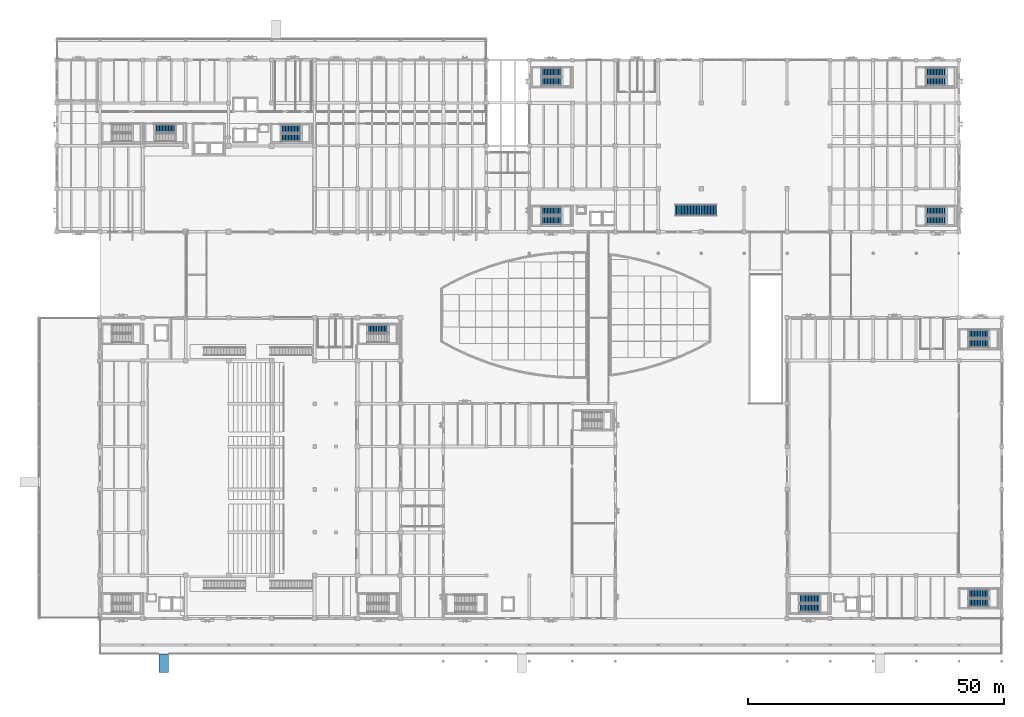
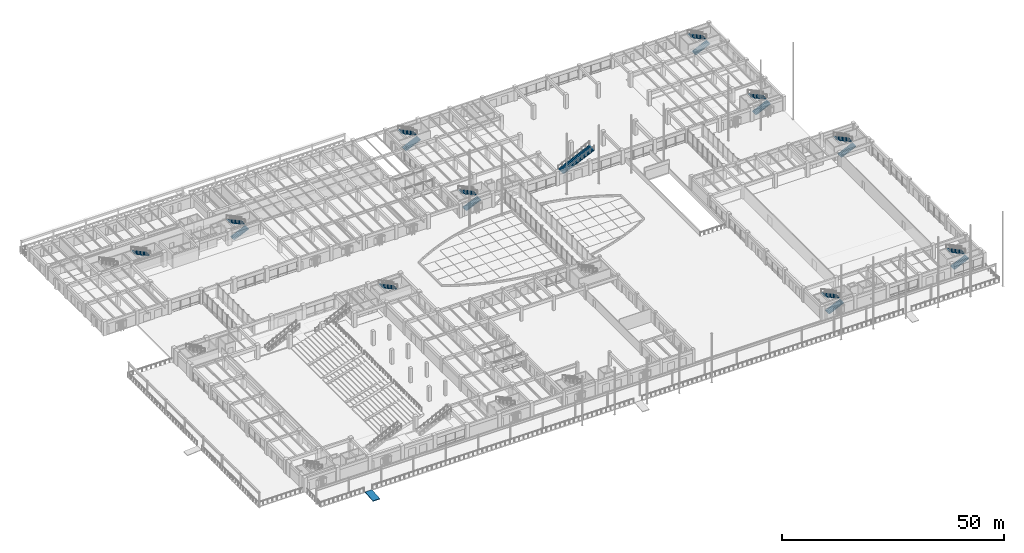
# One storey, part 101 of 135: 19 stair flights, 1 ramp flight, 12 elements without a shape of their own.
"""IFC4 building model written with IfcOpenShell, lengths in metres."""

from ifc_helpers import new_model, si_unit, direction, frame, origin, place, context, subcontext, project, spatial, polyline, outline, extrude, material, layer, layer_set, type_object, element, aggregate, save


model = new_model("IFC4")

# Units and contexts
model_context = context("Model", 3, precision=1e-05, world=origin(), true_north=direction((0.0, 1.0)))
body_context = subcontext(model_context, "Body", "Model", "MODEL_VIEW")
ifc_project = project(units=[si_unit("LENGTHUNIT", "METRE"), si_unit("AREAUNIT", "SQUARE_METRE"), si_unit("VOLUMEUNIT", "CUBIC_METRE"), si_unit("PLANEANGLEUNIT", "RADIAN"), si_unit("MASSUNIT", "GRAM", prefix="KILO")], contexts=[model_context])

# Site, building, storey
site_placement = place(None, origin())
site = spatial("IfcSite", under=ifc_project, at=site_placement, CompositionType="ELEMENT")
building_placement = place(site_placement, origin())
building = spatial("IfcBuilding", under=site, at=building_placement, Name="Cumbredor Promenade Congress Hotel", CompositionType="ELEMENT")
storey_placement = place(building_placement, origin())
storey = spatial("IfcBuildingStorey", under=building, at=storey_placement, Name="L00", CompositionType="ELEMENT", Elevation=0.0)

# Stair, stair flight
ifc_material = material(Name="Concrete C40/50", Category="concrete")
stair_type_1 = type_object("IfcStairType", Name="Ceremonial Atrium Straight Stair VM-T2 2200mm", PredefinedType="STRAIGHT_RUN_STAIR", material=ifc_material)
stair_1_placement = place(storey_placement, origin())
stair_1 = element("IfcStair", 1, at=stair_1_placement, inside=storey, type_object=stair_type_1, Name="Forum Atrium Ceremonial Stair Lower", PredefinedType="STRAIGHT_RUN_STAIR")
stair_flight_type_1 = type_object("IfcStairFlightType", Name="Ceremonial Stair Flight VFL-T2 2200mm", PredefinedType="STRAIGHT", material=ifc_material)
stair_flight_1_placement = place(storey_placement, frame((120.904052734375, 88.199951171875, -0.0029296875), z_axis=(0.0, 0.0, 1.0), x_axis=(1.0, 0.0, 0.0)))
stair_flight_1 = element("IfcStairFlight", 2, at=stair_flight_1_placement, type_object=stair_flight_type_1, Name="Forum Atrium Ceremonial Stair Lower Flight", NumberOfRisers=28, NumberOfTreads=27, PredefinedType="STRAIGHT", RiserHeight=0.14, TreadLength=0.3, context=body_context, shape_type="SweptSolid", body=[
    extrude(outline(polyline([(0.0, 0.0), (0.0, 0.139892578125), (0.300048828125, 0.139892578125), (0.300048828125, 0.280029296875), (0.60009765625, 0.280029296875), (0.60009765625, 0.419921875), (0.89990234375, 0.419921875), (0.89990234375, 0.56005859375), (1.199951171875, 0.56005859375), (1.199951171875, 0.699951171875), (1.5, 0.699951171875), (1.5, 0.840087890625), (1.800048828125, 0.840087890625), (1.800048828125, 0.97998046875), (2.10009765625, 0.97998046875), (2.10009765625, 1.1201171875), (2.39990234375, 1.1201171875), (2.39990234375, 1.260009765625), (2.699951171875, 1.260009765625), (2.699951171875, 1.39990234375), (3.0, 1.39990234375), (3.0, 1.5400390625), (3.300048828125, 1.5400390625), (3.300048828125, 1.679931640625), (3.60009765625, 1.679931640625), (3.60009765625, 1.820068359375), (3.89990234375, 1.820068359375), (3.89990234375, 1.9599609375), (4.199951171875, 1.9599609375), (4.199951171875, 2.10009765625), (4.5, 2.10009765625), (4.5, 2.239990234375), (4.800048828125, 2.239990234375), (4.800048828125, 2.3798828125), (5.10009765625, 2.3798828125), (5.10009765625, 2.52001953125), (5.39990234375, 2.52001953125), (5.39990234375, 2.659912109375), (5.699951171875, 2.659912109375), (5.699951171875, 2.800048828125), (6.0, 2.800048828125), (6.0, 2.93994140625), (6.300048828125, 2.93994140625), (6.300048828125, 3.080078125), (6.60009765625, 3.080078125), (6.60009765625, 3.219970703125), (6.89990234375, 3.219970703125), (6.89990234375, 3.360107421875), (7.199951171875, 3.360107421875), (7.199951171875, 3.5), (7.5, 3.5), (7.5, 3.639892578125), (7.800048828125, 3.639892578125), (7.800048828125, 3.780029296875), (8.10009765625, 3.780029296875), (8.10009765625, 3.919921875), (8.10009765625, 3.559326171875), (0.472900390625, 0.0), (0.0, 0.0)])), frame((0.0, 1.10009765625, 0.0), z_axis=(0.0, -1.0, 0.0), x_axis=(1.0, 0.0, 0.0)), (0.0, 0.0, 1.0), 2.199951171875),
])
aggregate(stair_1, [stair_flight_1])

# Stair, stair flights
stair_type_2 = type_object("IfcStairType", Name="Protected Dog-Leg Exit Stair ST-T1 1550mm", PredefinedType="HALF_TURN_STAIR", material=ifc_material)
stair_2_placement = place(storey_placement, origin())
stair_2 = element("IfcStair", 3, at=stair_2_placement, inside=storey, type_object=stair_type_2, Name="L00 Protected Exit Stair ST-03", PredefinedType="HALF_TURN_STAIR")
stair_flight_type_2 = type_object("IfcStairFlightType", Name="Concrete Stair Flight SFL-T1 1550mm", PredefinedType="STRAIGHT", material=ifc_material)
stair_flight_2_placement = place(storey_placement, frame((43.800048828125, 102.39501953125, 0.0), z_axis=(0.0, 0.0, 1.0), x_axis=(1.0, 0.0, 0.0)))
stair_flight_2 = element("IfcStairFlight", 4, at=stair_flight_2_placement, type_object=stair_flight_type_2, Name="ST-03 flight 1", NumberOfRisers=14, NumberOfTreads=13, PredefinedType="STRAIGHT", RiserHeight=0.14, TreadLength=0.3, context=body_context, shape_type="SweptSolid", body=[
    extrude(outline(polyline([(0.0, 0.0), (0.0, 0.139892578125), (0.300048828125, 0.139892578125), (0.300048828125, 0.280029296875), (0.60009765625, 0.280029296875), (0.60009765625, 0.419921875), (0.89990234375, 0.419921875), (0.89990234375, 0.56005859375), (1.199951171875, 0.56005859375), (1.199951171875, 0.699951171875), (1.5, 0.699951171875), (1.5, 0.840087890625), (1.800048828125, 0.840087890625), (1.800048828125, 0.97998046875), (2.10009765625, 0.97998046875), (2.10009765625, 1.1201171875), (2.39990234375, 1.1201171875), (2.39990234375, 1.260009765625), (2.699951171875, 1.260009765625), (2.699951171875, 1.39990234375), (3.0, 1.39990234375), (3.0, 1.5400390625), (3.300048828125, 1.5400390625), (3.300048828125, 1.679931640625), (3.60009765625, 1.679931640625), (3.60009765625, 1.820068359375), (3.89990234375, 1.820068359375), (3.89990234375, 1.9599609375), (3.89990234375, 1.621337890625), (0.425537109375, 0.0), (0.0, 0.0)])), frame((0.0, 0.77490234375, 0.0), z_axis=(0.0, -1.0, 0.0), x_axis=(1.0, 0.0, 0.0)), (0.0, 0.0, 1.0), 1.550048828125),
])
stair_flight_3_placement = place(storey_placement, frame((47.699951171875, 104.094970703125, 1.9599609375), z_axis=(0.0, 0.0, 1.0), x_axis=(-1.0, 0.0, 0.0)))
stair_flight_3 = element("IfcStairFlight", 5, at=stair_flight_3_placement, type_object=stair_flight_type_2, Name="ST-03 flight 2", NumberOfRisers=14, NumberOfTreads=13, PredefinedType="STRAIGHT", RiserHeight=0.14, TreadLength=0.3, context=body_context, shape_type="SweptSolid", body=[
    extrude(outline(polyline([(0.0, 0.0), (0.0, 0.139892578125), (0.300048828125, 0.139892578125), (0.300048828125, 0.280029296875), (0.60009765625, 0.280029296875), (0.60009765625, 0.419921875), (0.89990234375, 0.419921875), (0.89990234375, 0.56005859375), (1.199951171875, 0.56005859375), (1.199951171875, 0.699951171875), (1.5, 0.699951171875), (1.5, 0.840087890625), (1.800048828125, 0.840087890625), (1.800048828125, 0.97998046875), (2.10009765625, 0.97998046875), (2.10009765625, 1.1201171875), (2.39990234375, 1.1201171875), (2.39990234375, 1.260009765625), (2.699951171875, 1.260009765625), (2.699951171875, 1.39990234375), (3.0, 1.39990234375), (3.0, 1.5400390625), (3.300048828125, 1.5400390625), (3.300048828125, 1.679931640625), (3.60009765625, 1.679931640625), (3.60009765625, 1.820068359375), (3.89990234375, 1.820068359375), (3.89990234375, 1.9599609375), (3.89990234375, 1.621337890625), (0.425537109375, 0.0), (0.0, 0.0)])), frame((0.0, 0.77490234375, 0.0), z_axis=(0.0, -1.0, 0.0), x_axis=(1.0, 0.0, 0.0)), (0.0, 0.0, 1.0), 1.550048828125),
])
aggregate(stair_2, [stair_flight_2, stair_flight_3])

# Stair, stair flight
stair_type_3 = type_object("IfcStairType", Name="Protected Dog-Leg Exit Stair ST-T2 1600mm", PredefinedType="HALF_TURN_STAIR", material=ifc_material)
stair_3_placement = place(storey_placement, origin())
stair_3 = element("IfcStair", 6, at=stair_3_placement, inside=storey, type_object=stair_type_3, Name="L00 Protected Exit Stair ST-02", PredefinedType="HALF_TURN_STAIR")
stair_flight_type_3 = type_object("IfcStairFlightType", Name="Concrete Stair Flight SFL-T2 1600mm", PredefinedType="STRAIGHT", material=ifc_material)
stair_flight_4_placement = place(storey_placement, frame((23.050048828125, 104.169921875, 1.9599609375), z_axis=(0.0, 0.0, 1.0), x_axis=(-1.0, 0.0, 0.0)))
stair_flight_4 = element("IfcStairFlight", 7, at=stair_flight_4_placement, type_object=stair_flight_type_3, Name="ST-02 flight 2", NumberOfRisers=14, NumberOfTreads=13, PredefinedType="STRAIGHT", RiserHeight=0.14, TreadLength=0.3, context=body_context, shape_type="SweptSolid", body=[
    extrude(outline(polyline([(0.0, 0.0), (0.0, 0.139892578125), (0.300048828125, 0.139892578125), (0.300048828125, 0.280029296875), (0.60009765625, 0.280029296875), (0.60009765625, 0.419921875), (0.89990234375, 0.419921875), (0.89990234375, 0.56005859375), (1.199951171875, 0.56005859375), (1.199951171875, 0.699951171875), (1.5, 0.699951171875), (1.5, 0.840087890625), (1.800048828125, 0.840087890625), (1.800048828125, 0.97998046875), (2.10009765625, 0.97998046875), (2.10009765625, 1.1201171875), (2.39990234375, 1.1201171875), (2.39990234375, 1.260009765625), (2.699951171875, 1.260009765625), (2.699951171875, 1.39990234375), (3.0, 1.39990234375), (3.0, 1.5400390625), (3.300048828125, 1.5400390625), (3.300048828125, 1.679931640625), (3.60009765625, 1.679931640625), (3.60009765625, 1.820068359375), (3.89990234375, 1.820068359375), (3.89990234375, 1.9599609375), (3.89990234375, 1.621337890625), (0.425537109375, 0.0), (0.0, 0.0)])), frame((0.0, 0.800048828125, 0.0), z_axis=(0.0, -1.0, 0.0), x_axis=(1.0, 0.0, 0.0)), (0.0, 0.0, 1.0), 1.60009765625),
])
aggregate(stair_3, [stair_flight_4])

stair_type_4 = type_object("IfcStairType", Name="Protected Dog-Leg Exit Stair ST-T3 1650mm", PredefinedType="HALF_TURN_STAIR", material=ifc_material)
stair_4_placement = place(storey_placement, origin())
stair_4 = element("IfcStair", 8, at=stair_4_placement, inside=storey, type_object=stair_type_4, Name="L00 Protected Exit Stair ST-07", PredefinedType="HALF_TURN_STAIR")
stair_flight_type_4 = type_object("IfcStairFlightType", Name="Concrete Stair Flight SFL-T3 1650mm", PredefinedType="STRAIGHT", material=ifc_material)
stair_flight_5_placement = place(storey_placement, frame((64.64990234375, 64.97509765625, 1.9599609375), z_axis=(0.0, 0.0, 1.0), x_axis=(-1.0, 0.0, 0.0)))
stair_flight_5 = element("IfcStairFlight", 9, at=stair_flight_5_placement, type_object=stair_flight_type_4, Name="ST-07 flight 2", NumberOfRisers=14, NumberOfTreads=13, PredefinedType="STRAIGHT", RiserHeight=0.14, TreadLength=0.3, context=body_context, shape_type="SweptSolid", body=[
    extrude(outline(polyline([(0.0, 0.0), (0.0, 0.139892578125), (0.300048828125, 0.139892578125), (0.300048828125, 0.280029296875), (0.60009765625, 0.280029296875), (0.60009765625, 0.419921875), (0.89990234375, 0.419921875), (0.89990234375, 0.56005859375), (1.199951171875, 0.56005859375), (1.199951171875, 0.699951171875), (1.5, 0.699951171875), (1.5, 0.840087890625), (1.800048828125, 0.840087890625), (1.800048828125, 0.97998046875), (2.10009765625, 0.97998046875), (2.10009765625, 1.1201171875), (2.39990234375, 1.1201171875), (2.39990234375, 1.260009765625), (2.699951171875, 1.260009765625), (2.699951171875, 1.39990234375), (3.0, 1.39990234375), (3.0, 1.5400390625), (3.300048828125, 1.5400390625), (3.300048828125, 1.679931640625), (3.60009765625, 1.679931640625), (3.60009765625, 1.820068359375), (3.89990234375, 1.820068359375), (3.89990234375, 1.9599609375), (3.89990234375, 1.621337890625), (0.425537109375, 0.0), (0.0, 0.0)])), frame((0.0, 0.824951171875, 0.0), z_axis=(0.0, -1.0, 0.0), x_axis=(1.0, 0.0, 0.0)), (0.0, 0.0, 1.0), 1.64990234375),
])
aggregate(stair_4, [stair_flight_5])

# Stair, stair flights
stair_5_placement = place(storey_placement, origin())
stair_5 = element("IfcStair", 10, at=stair_5_placement, inside=storey, type_object=stair_type_4, Name="L00 Protected Exit Stair ST-08", PredefinedType="HALF_TURN_STAIR")
stair_flight_6_placement = place(storey_placement, frame((145.14990234375, 10.425048828125, 0.0), z_axis=(0.0, 0.0, 1.0), x_axis=(1.0, 0.0, 0.0)))
stair_flight_6 = element("IfcStairFlight", 11, at=stair_flight_6_placement, type_object=stair_flight_type_4, Name="ST-08 flight 1", NumberOfRisers=14, NumberOfTreads=13, PredefinedType="STRAIGHT", RiserHeight=0.14, TreadLength=0.3, context=body_context, shape_type="SweptSolid", body=[
    extrude(outline(polyline([(0.0, 0.0), (0.0, 0.139892578125), (0.300048828125, 0.139892578125), (0.300048828125, 0.280029296875), (0.60009765625, 0.280029296875), (0.60009765625, 0.419921875), (0.89990234375, 0.419921875), (0.89990234375, 0.56005859375), (1.199951171875, 0.56005859375), (1.199951171875, 0.699951171875), (1.5, 0.699951171875), (1.5, 0.840087890625), (1.800048828125, 0.840087890625), (1.800048828125, 0.97998046875), (2.10009765625, 0.97998046875), (2.10009765625, 1.1201171875), (2.39990234375, 1.1201171875), (2.39990234375, 1.260009765625), (2.699951171875, 1.260009765625), (2.699951171875, 1.39990234375), (3.0, 1.39990234375), (3.0, 1.5400390625), (3.300048828125, 1.5400390625), (3.300048828125, 1.679931640625), (3.60009765625, 1.679931640625), (3.60009765625, 1.820068359375), (3.89990234375, 1.820068359375), (3.89990234375, 1.9599609375), (3.89990234375, 1.621337890625), (0.425537109375, 0.0), (0.0, 0.0)])), frame((0.0, 0.824951171875, 0.0), z_axis=(0.0, -1.0, 0.0), x_axis=(1.0, 0.0, 0.0)), (0.0, 0.0, 1.0), 1.64990234375),
])
stair_flight_7_placement = place(storey_placement, frame((149.050048828125, 12.22509765625, 1.9599609375), z_axis=(0.0, 0.0, 1.0), x_axis=(-1.0, 0.0, 0.0)))
stair_flight_7 = element("IfcStairFlight", 12, at=stair_flight_7_placement, type_object=stair_flight_type_4, Name="ST-08 flight 2", NumberOfRisers=14, NumberOfTreads=13, PredefinedType="STRAIGHT", RiserHeight=0.14, TreadLength=0.3, context=body_context, shape_type="SweptSolid", body=[
    extrude(outline(polyline([(0.0, 0.0), (0.0, 0.139892578125), (0.300048828125, 0.139892578125), (0.300048828125, 0.280029296875), (0.60009765625, 0.280029296875), (0.60009765625, 0.419921875), (0.89990234375, 0.419921875), (0.89990234375, 0.56005859375), (1.199951171875, 0.56005859375), (1.199951171875, 0.699951171875), (1.5, 0.699951171875), (1.5, 0.840087890625), (1.800048828125, 0.840087890625), (1.800048828125, 0.97998046875), (2.10009765625, 0.97998046875), (2.10009765625, 1.1201171875), (2.39990234375, 1.1201171875), (2.39990234375, 1.260009765625), (2.699951171875, 1.260009765625), (2.699951171875, 1.39990234375), (3.0, 1.39990234375), (3.0, 1.5400390625), (3.300048828125, 1.5400390625), (3.300048828125, 1.679931640625), (3.60009765625, 1.679931640625), (3.60009765625, 1.820068359375), (3.89990234375, 1.820068359375), (3.89990234375, 1.9599609375), (3.89990234375, 1.621337890625), (0.425537109375, 0.0), (0.0, 0.0)])), frame((0.0, 0.824951171875, 0.0), z_axis=(0.0, -1.0, 0.0), x_axis=(1.0, 0.0, 0.0)), (0.0, 0.0, 1.0), 1.64990234375),
])
aggregate(stair_5, [stair_flight_6, stair_flight_7])

stair_6_placement = place(storey_placement, origin())
stair_6 = element("IfcStair", 13, at=stair_6_placement, inside=storey, type_object=stair_type_4, Name="L00 Protected Exit Stair ST-09", PredefinedType="HALF_TURN_STAIR")
stair_flight_8_placement = place(storey_placement, frame((178.25, 11.425048828125, 0.0), z_axis=(0.0, 0.0, 1.0), x_axis=(1.0, 0.0, 0.0)))
stair_flight_8 = element("IfcStairFlight", 14, at=stair_flight_8_placement, type_object=stair_flight_type_4, Name="ST-09 flight 1", NumberOfRisers=14, NumberOfTreads=13, PredefinedType="STRAIGHT", RiserHeight=0.14, TreadLength=0.3, context=body_context, shape_type="SweptSolid", body=[
    extrude(outline(polyline([(0.0, 0.0), (0.0, 0.139892578125), (0.300048828125, 0.139892578125), (0.300048828125, 0.280029296875), (0.60009765625, 0.280029296875), (0.60009765625, 0.419921875), (0.89990234375, 0.419921875), (0.89990234375, 0.56005859375), (1.199951171875, 0.56005859375), (1.199951171875, 0.699951171875), (1.5, 0.699951171875), (1.5, 0.840087890625), (1.800048828125, 0.840087890625), (1.800048828125, 0.97998046875), (2.10009765625, 0.97998046875), (2.10009765625, 1.1201171875), (2.39990234375, 1.1201171875), (2.39990234375, 1.260009765625), (2.699951171875, 1.260009765625), (2.699951171875, 1.39990234375), (3.0, 1.39990234375), (3.0, 1.5400390625), (3.300048828125, 1.5400390625), (3.300048828125, 1.679931640625), (3.60009765625, 1.679931640625), (3.60009765625, 1.820068359375), (3.89990234375, 1.820068359375), (3.89990234375, 1.9599609375), (3.89990234375, 1.621337890625), (0.425537109375, 0.0), (0.0, 0.0)])), frame((0.0, 0.824951171875, 0.0), z_axis=(0.0, -1.0, 0.0), x_axis=(1.0, 0.0, 0.0)), (0.0, 0.0, 1.0), 1.64990234375),
])
stair_flight_9_placement = place(storey_placement, frame((182.14990234375, 13.22509765625, 1.9599609375), z_axis=(0.0, 0.0, 1.0), x_axis=(-1.0, 0.0, 0.0)))
stair_flight_9 = element("IfcStairFlight", 15, at=stair_flight_9_placement, type_object=stair_flight_type_4, Name="ST-09 flight 2", NumberOfRisers=14, NumberOfTreads=13, PredefinedType="STRAIGHT", RiserHeight=0.14, TreadLength=0.3, context=body_context, shape_type="SweptSolid", body=[
    extrude(outline(polyline([(0.0, 0.0), (0.0, 0.139892578125), (0.300048828125, 0.139892578125), (0.300048828125, 0.280029296875), (0.60009765625, 0.280029296875), (0.60009765625, 0.419921875), (0.89990234375, 0.419921875), (0.89990234375, 0.56005859375), (1.199951171875, 0.56005859375), (1.199951171875, 0.699951171875), (1.5, 0.699951171875), (1.5, 0.840087890625), (1.800048828125, 0.840087890625), (1.800048828125, 0.97998046875), (2.10009765625, 0.97998046875), (2.10009765625, 1.1201171875), (2.39990234375, 1.1201171875), (2.39990234375, 1.260009765625), (2.699951171875, 1.260009765625), (2.699951171875, 1.39990234375), (3.0, 1.39990234375), (3.0, 1.5400390625), (3.300048828125, 1.5400390625), (3.300048828125, 1.679931640625), (3.60009765625, 1.679931640625), (3.60009765625, 1.820068359375), (3.89990234375, 1.820068359375), (3.89990234375, 1.9599609375), (3.89990234375, 1.621337890625), (0.425537109375, 0.0), (0.0, 0.0)])), frame((0.0, 0.824951171875, 0.0), z_axis=(0.0, -1.0, 0.0), x_axis=(1.0, 0.0, 0.0)), (0.0, 0.0, 1.0), 1.64990234375),
])
aggregate(stair_6, [stair_flight_8, stair_flight_9])

stair_7_placement = place(storey_placement, origin())
stair_7 = element("IfcStair", 16, at=stair_7_placement, inside=storey, type_object=stair_type_4, Name="L00 Protected Exit Stair ST-10", PredefinedType="HALF_TURN_STAIR")
stair_flight_10_placement = place(storey_placement, frame((178.25, 62.175048828125, 0.0), z_axis=(0.0, 0.0, 1.0), x_axis=(1.0, 0.0, 0.0)))
stair_flight_10 = element("IfcStairFlight", 17, at=stair_flight_10_placement, type_object=stair_flight_type_4, Name="ST-10 flight 1", NumberOfRisers=14, NumberOfTreads=13, PredefinedType="STRAIGHT", RiserHeight=0.14, TreadLength=0.3, context=body_context, shape_type="SweptSolid", body=[
    extrude(outline(polyline([(0.0, 0.0), (0.0, 0.139892578125), (0.300048828125, 0.139892578125), (0.300048828125, 0.280029296875), (0.60009765625, 0.280029296875), (0.60009765625, 0.419921875), (0.89990234375, 0.419921875), (0.89990234375, 0.56005859375), (1.199951171875, 0.56005859375), (1.199951171875, 0.699951171875), (1.5, 0.699951171875), (1.5, 0.840087890625), (1.800048828125, 0.840087890625), (1.800048828125, 0.97998046875), (2.10009765625, 0.97998046875), (2.10009765625, 1.1201171875), (2.39990234375, 1.1201171875), (2.39990234375, 1.260009765625), (2.699951171875, 1.260009765625), (2.699951171875, 1.39990234375), (3.0, 1.39990234375), (3.0, 1.5400390625), (3.300048828125, 1.5400390625), (3.300048828125, 1.679931640625), (3.60009765625, 1.679931640625), (3.60009765625, 1.820068359375), (3.89990234375, 1.820068359375), (3.89990234375, 1.9599609375), (3.89990234375, 1.621337890625), (0.425537109375, 0.0), (0.0, 0.0)])), frame((0.0, 0.824951171875, 0.0), z_axis=(0.0, -1.0, 0.0), x_axis=(1.0, 0.0, 0.0)), (0.0, 0.0, 1.0), 1.64990234375),
])
stair_flight_11_placement = place(storey_placement, frame((182.14990234375, 63.97509765625, 1.9599609375), z_axis=(0.0, 0.0, 1.0), x_axis=(-1.0, 0.0, 0.0)))
stair_flight_11 = element("IfcStairFlight", 18, at=stair_flight_11_placement, type_object=stair_flight_type_4, Name="ST-10 flight 2", NumberOfRisers=14, NumberOfTreads=13, PredefinedType="STRAIGHT", RiserHeight=0.14, TreadLength=0.3, context=body_context, shape_type="SweptSolid", body=[
    extrude(outline(polyline([(0.0, 0.0), (0.0, 0.139892578125), (0.300048828125, 0.139892578125), (0.300048828125, 0.280029296875), (0.60009765625, 0.280029296875), (0.60009765625, 0.419921875), (0.89990234375, 0.419921875), (0.89990234375, 0.56005859375), (1.199951171875, 0.56005859375), (1.199951171875, 0.699951171875), (1.5, 0.699951171875), (1.5, 0.840087890625), (1.800048828125, 0.840087890625), (1.800048828125, 0.97998046875), (2.10009765625, 0.97998046875), (2.10009765625, 1.1201171875), (2.39990234375, 1.1201171875), (2.39990234375, 1.260009765625), (2.699951171875, 1.260009765625), (2.699951171875, 1.39990234375), (3.0, 1.39990234375), (3.0, 1.5400390625), (3.300048828125, 1.5400390625), (3.300048828125, 1.679931640625), (3.60009765625, 1.679931640625), (3.60009765625, 1.820068359375), (3.89990234375, 1.820068359375), (3.89990234375, 1.9599609375), (3.89990234375, 1.621337890625), (0.425537109375, 0.0), (0.0, 0.0)])), frame((0.0, 0.824951171875, 0.0), z_axis=(0.0, -1.0, 0.0), x_axis=(1.0, 0.0, 0.0)), (0.0, 0.0, 1.0), 1.64990234375),
])
aggregate(stair_7, [stair_flight_10, stair_flight_11])

stair_8_placement = place(storey_placement, origin())
stair_8 = element("IfcStair", 19, at=stair_8_placement, inside=storey, type_object=stair_type_4, Name="L00 Protected Exit Stair ST-13", PredefinedType="HALF_TURN_STAIR")
stair_flight_12_placement = place(storey_placement, frame((94.75, 86.22509765625, 0.0), z_axis=(0.0, 0.0, 1.0), x_axis=(1.0, 0.0, 0.0)))
stair_flight_12 = element("IfcStairFlight", 20, at=stair_flight_12_placement, type_object=stair_flight_type_4, Name="ST-13 flight 1", NumberOfRisers=14, NumberOfTreads=13, PredefinedType="STRAIGHT", RiserHeight=0.14, TreadLength=0.3, context=body_context, shape_type="SweptSolid", body=[
    extrude(outline(polyline([(0.0, 0.0), (0.0, 0.139892578125), (0.300048828125, 0.139892578125), (0.300048828125, 0.280029296875), (0.60009765625, 0.280029296875), (0.60009765625, 0.419921875), (0.89990234375, 0.419921875), (0.89990234375, 0.56005859375), (1.199951171875, 0.56005859375), (1.199951171875, 0.699951171875), (1.5, 0.699951171875), (1.5, 0.840087890625), (1.800048828125, 0.840087890625), (1.800048828125, 0.97998046875), (2.10009765625, 0.97998046875), (2.10009765625, 1.1201171875), (2.39990234375, 1.1201171875), (2.39990234375, 1.260009765625), (2.699951171875, 1.260009765625), (2.699951171875, 1.39990234375), (3.0, 1.39990234375), (3.0, 1.5400390625), (3.300048828125, 1.5400390625), (3.300048828125, 1.679931640625), (3.60009765625, 1.679931640625), (3.60009765625, 1.820068359375), (3.89990234375, 1.820068359375), (3.89990234375, 1.9599609375), (3.89990234375, 1.621337890625), (0.425537109375, 0.0), (0.0, 0.0)])), frame((0.0, 0.824951171875, 0.0), z_axis=(0.0, -1.0, 0.0), x_axis=(1.0, 0.0, 0.0)), (0.0, 0.0, 1.0), 1.64990234375),
])
stair_flight_13_placement = place(storey_placement, frame((98.64990234375, 88.02490234375, 1.9599609375), z_axis=(0.0, 0.0, 1.0), x_axis=(-1.0, 0.0, 0.0)))
stair_flight_13 = element("IfcStairFlight", 21, at=stair_flight_13_placement, type_object=stair_flight_type_4, Name="ST-13 flight 2", NumberOfRisers=14, NumberOfTreads=13, PredefinedType="STRAIGHT", RiserHeight=0.14, TreadLength=0.3, context=body_context, shape_type="SweptSolid", body=[
    extrude(outline(polyline([(0.0, 0.0), (0.0, 0.139892578125), (0.300048828125, 0.139892578125), (0.300048828125, 0.280029296875), (0.60009765625, 0.280029296875), (0.60009765625, 0.419921875), (0.89990234375, 0.419921875), (0.89990234375, 0.56005859375), (1.199951171875, 0.56005859375), (1.199951171875, 0.699951171875), (1.5, 0.699951171875), (1.5, 0.840087890625), (1.800048828125, 0.840087890625), (1.800048828125, 0.97998046875), (2.10009765625, 0.97998046875), (2.10009765625, 1.1201171875), (2.39990234375, 1.1201171875), (2.39990234375, 1.260009765625), (2.699951171875, 1.260009765625), (2.699951171875, 1.39990234375), (3.0, 1.39990234375), (3.0, 1.5400390625), (3.300048828125, 1.5400390625), (3.300048828125, 1.679931640625), (3.60009765625, 1.679931640625), (3.60009765625, 1.820068359375), (3.89990234375, 1.820068359375), (3.89990234375, 1.9599609375), (3.89990234375, 1.621337890625), (0.425537109375, 0.0), (0.0, 0.0)])), frame((0.0, 0.824951171875, 0.0), z_axis=(0.0, -1.0, 0.0), x_axis=(1.0, 0.0, 0.0)), (0.0, 0.0, 1.0), 1.64990234375),
])
aggregate(stair_8, [stair_flight_12, stair_flight_13])

stair_9_placement = place(storey_placement, origin())
stair_9 = element("IfcStair", 22, at=stair_9_placement, inside=storey, type_object=stair_type_4, Name="L00 Protected Exit Stair ST-14", PredefinedType="HALF_TURN_STAIR")
stair_flight_14_placement = place(storey_placement, frame((169.919921875, 86.22509765625, 0.0), z_axis=(0.0, 0.0, 1.0), x_axis=(1.0, 0.0, 0.0)))
stair_flight_14 = element("IfcStairFlight", 23, at=stair_flight_14_placement, type_object=stair_flight_type_4, Name="ST-14 flight 1", NumberOfRisers=14, NumberOfTreads=13, PredefinedType="STRAIGHT", RiserHeight=0.14, TreadLength=0.3, context=body_context, shape_type="SweptSolid", body=[
    extrude(outline(polyline([(0.0, 0.0), (0.0, 0.139892578125), (0.300048828125, 0.139892578125), (0.300048828125, 0.280029296875), (0.60009765625, 0.280029296875), (0.60009765625, 0.419921875), (0.89990234375, 0.419921875), (0.89990234375, 0.56005859375), (1.199951171875, 0.56005859375), (1.199951171875, 0.699951171875), (1.5, 0.699951171875), (1.5, 0.840087890625), (1.800048828125, 0.840087890625), (1.800048828125, 0.97998046875), (2.10009765625, 0.97998046875), (2.10009765625, 1.1201171875), (2.39990234375, 1.1201171875), (2.39990234375, 1.260009765625), (2.699951171875, 1.260009765625), (2.699951171875, 1.39990234375), (3.0, 1.39990234375), (3.0, 1.5400390625), (3.300048828125, 1.5400390625), (3.300048828125, 1.679931640625), (3.60009765625, 1.679931640625), (3.60009765625, 1.820068359375), (3.89990234375, 1.820068359375), (3.89990234375, 1.9599609375), (3.89990234375, 1.621337890625), (0.425537109375, 0.0), (0.0, 0.0)])), frame((0.0, 0.824951171875, 0.0), z_axis=(0.0, -1.0, 0.0), x_axis=(1.0, 0.0, 0.0)), (0.0, 0.0, 1.0), 1.64990234375),
])
stair_flight_15_placement = place(storey_placement, frame((173.820068359375, 88.02490234375, 1.9599609375), z_axis=(0.0, 0.0, 1.0), x_axis=(-1.0, 0.0, 0.0)))
stair_flight_15 = element("IfcStairFlight", 24, at=stair_flight_15_placement, type_object=stair_flight_type_4, Name="ST-14 flight 2", NumberOfRisers=14, NumberOfTreads=13, PredefinedType="STRAIGHT", RiserHeight=0.14, TreadLength=0.3, context=body_context, shape_type="SweptSolid", body=[
    extrude(outline(polyline([(0.0, 0.0), (0.0, 0.139892578125), (0.300048828125, 0.139892578125), (0.300048828125, 0.280029296875), (0.60009765625, 0.280029296875), (0.60009765625, 0.419921875), (0.89990234375, 0.419921875), (0.89990234375, 0.56005859375), (1.199951171875, 0.56005859375), (1.199951171875, 0.699951171875), (1.5, 0.699951171875), (1.5, 0.840087890625), (1.800048828125, 0.840087890625), (1.800048828125, 0.97998046875), (2.10009765625, 0.97998046875), (2.10009765625, 1.1201171875), (2.39990234375, 1.1201171875), (2.39990234375, 1.260009765625), (2.699951171875, 1.260009765625), (2.699951171875, 1.39990234375), (3.0, 1.39990234375), (3.0, 1.5400390625), (3.300048828125, 1.5400390625), (3.300048828125, 1.679931640625), (3.60009765625, 1.679931640625), (3.60009765625, 1.820068359375), (3.89990234375, 1.820068359375), (3.89990234375, 1.9599609375), (3.89990234375, 1.621337890625), (0.425537109375, 0.0), (0.0, 0.0)])), frame((0.0, 0.824951171875, 0.0), z_axis=(0.0, -1.0, 0.0), x_axis=(1.0, 0.0, 0.0)), (0.0, 0.0, 1.0), 1.64990234375),
])
aggregate(stair_9, [stair_flight_14, stair_flight_15])

stair_10_placement = place(storey_placement, origin())
stair_10 = element("IfcStair", 25, at=stair_10_placement, inside=storey, type_object=stair_type_4, Name="L00 Protected Exit Stair ST-15", PredefinedType="HALF_TURN_STAIR")
stair_flight_16_placement = place(storey_placement, frame((94.75, 113.375, 0.0), z_axis=(0.0, 0.0, 1.0), x_axis=(1.0, 0.0, 0.0)))
stair_flight_16 = element("IfcStairFlight", 26, at=stair_flight_16_placement, type_object=stair_flight_type_4, Name="ST-15 flight 1", NumberOfRisers=14, NumberOfTreads=13, PredefinedType="STRAIGHT", RiserHeight=0.14, TreadLength=0.3, context=body_context, shape_type="SweptSolid", body=[
    extrude(outline(polyline([(0.0, 0.0), (0.0, 0.139892578125), (0.300048828125, 0.139892578125), (0.300048828125, 0.280029296875), (0.60009765625, 0.280029296875), (0.60009765625, 0.419921875), (0.89990234375, 0.419921875), (0.89990234375, 0.56005859375), (1.199951171875, 0.56005859375), (1.199951171875, 0.699951171875), (1.5, 0.699951171875), (1.5, 0.840087890625), (1.800048828125, 0.840087890625), (1.800048828125, 0.97998046875), (2.10009765625, 0.97998046875), (2.10009765625, 1.1201171875), (2.39990234375, 1.1201171875), (2.39990234375, 1.260009765625), (2.699951171875, 1.260009765625), (2.699951171875, 1.39990234375), (3.0, 1.39990234375), (3.0, 1.5400390625), (3.300048828125, 1.5400390625), (3.300048828125, 1.679931640625), (3.60009765625, 1.679931640625), (3.60009765625, 1.820068359375), (3.89990234375, 1.820068359375), (3.89990234375, 1.9599609375), (3.89990234375, 1.621337890625), (0.425537109375, 0.0), (0.0, 0.0)])), frame((0.0, 0.824951171875, 0.0), z_axis=(0.0, -1.0, 0.0), x_axis=(1.0, 0.0, 0.0)), (0.0, 0.0, 1.0), 1.64990234375),
])
stair_flight_17_placement = place(storey_placement, frame((98.64990234375, 115.175048828125, 1.9599609375), z_axis=(0.0, 0.0, 1.0), x_axis=(-1.0, 0.0, 0.0)))
stair_flight_17 = element("IfcStairFlight", 27, at=stair_flight_17_placement, type_object=stair_flight_type_4, Name="ST-15 flight 2", NumberOfRisers=14, NumberOfTreads=13, PredefinedType="STRAIGHT", RiserHeight=0.14, TreadLength=0.3, context=body_context, shape_type="SweptSolid", body=[
    extrude(outline(polyline([(0.0, 0.0), (0.0, 0.139892578125), (0.300048828125, 0.139892578125), (0.300048828125, 0.280029296875), (0.60009765625, 0.280029296875), (0.60009765625, 0.419921875), (0.89990234375, 0.419921875), (0.89990234375, 0.56005859375), (1.199951171875, 0.56005859375), (1.199951171875, 0.699951171875), (1.5, 0.699951171875), (1.5, 0.840087890625), (1.800048828125, 0.840087890625), (1.800048828125, 0.97998046875), (2.10009765625, 0.97998046875), (2.10009765625, 1.1201171875), (2.39990234375, 1.1201171875), (2.39990234375, 1.260009765625), (2.699951171875, 1.260009765625), (2.699951171875, 1.39990234375), (3.0, 1.39990234375), (3.0, 1.5400390625), (3.300048828125, 1.5400390625), (3.300048828125, 1.679931640625), (3.60009765625, 1.679931640625), (3.60009765625, 1.820068359375), (3.89990234375, 1.820068359375), (3.89990234375, 1.9599609375), (3.89990234375, 1.621337890625), (0.425537109375, 0.0), (0.0, 0.0)])), frame((0.0, 0.824951171875, 0.0), z_axis=(0.0, -1.0, 0.0), x_axis=(1.0, 0.0, 0.0)), (0.0, 0.0, 1.0), 1.64990234375),
])
aggregate(stair_10, [stair_flight_16, stair_flight_17])

stair_11_placement = place(storey_placement, origin())
stair_11 = element("IfcStair", 28, at=stair_11_placement, inside=storey, type_object=stair_type_4, Name="L00 Protected Exit Stair ST-16", PredefinedType="HALF_TURN_STAIR")
stair_flight_18_placement = place(storey_placement, frame((169.919921875, 113.375, 0.0), z_axis=(0.0, 0.0, 1.0), x_axis=(1.0, 0.0, 0.0)))
stair_flight_18 = element("IfcStairFlight", 29, at=stair_flight_18_placement, type_object=stair_flight_type_4, Name="ST-16 flight 1", NumberOfRisers=14, NumberOfTreads=13, PredefinedType="STRAIGHT", RiserHeight=0.14, TreadLength=0.3, context=body_context, shape_type="SweptSolid", body=[
    extrude(outline(polyline([(0.0, 0.0), (0.0, 0.139892578125), (0.300048828125, 0.139892578125), (0.300048828125, 0.280029296875), (0.60009765625, 0.280029296875), (0.60009765625, 0.419921875), (0.89990234375, 0.419921875), (0.89990234375, 0.56005859375), (1.199951171875, 0.56005859375), (1.199951171875, 0.699951171875), (1.5, 0.699951171875), (1.5, 0.840087890625), (1.800048828125, 0.840087890625), (1.800048828125, 0.97998046875), (2.10009765625, 0.97998046875), (2.10009765625, 1.1201171875), (2.39990234375, 1.1201171875), (2.39990234375, 1.260009765625), (2.699951171875, 1.260009765625), (2.699951171875, 1.39990234375), (3.0, 1.39990234375), (3.0, 1.5400390625), (3.300048828125, 1.5400390625), (3.300048828125, 1.679931640625), (3.60009765625, 1.679931640625), (3.60009765625, 1.820068359375), (3.89990234375, 1.820068359375), (3.89990234375, 1.9599609375), (3.89990234375, 1.621337890625), (0.425537109375, 0.0), (0.0, 0.0)])), frame((0.0, 0.824951171875, 0.0), z_axis=(0.0, -1.0, 0.0), x_axis=(1.0, 0.0, 0.0)), (0.0, 0.0, 1.0), 1.64990234375),
])
stair_flight_19_placement = place(storey_placement, frame((173.820068359375, 115.175048828125, 1.9599609375), z_axis=(0.0, 0.0, 1.0), x_axis=(-1.0, 0.0, 0.0)))
stair_flight_19 = element("IfcStairFlight", 30, at=stair_flight_19_placement, type_object=stair_flight_type_4, Name="ST-16 flight 2", NumberOfRisers=14, NumberOfTreads=13, PredefinedType="STRAIGHT", RiserHeight=0.14, TreadLength=0.3, context=body_context, shape_type="SweptSolid", body=[
    extrude(outline(polyline([(0.0, 0.0), (0.0, 0.139892578125), (0.300048828125, 0.139892578125), (0.300048828125, 0.280029296875), (0.60009765625, 0.280029296875), (0.60009765625, 0.419921875), (0.89990234375, 0.419921875), (0.89990234375, 0.56005859375), (1.199951171875, 0.56005859375), (1.199951171875, 0.699951171875), (1.5, 0.699951171875), (1.5, 0.840087890625), (1.800048828125, 0.840087890625), (1.800048828125, 0.97998046875), (2.10009765625, 0.97998046875), (2.10009765625, 1.1201171875), (2.39990234375, 1.1201171875), (2.39990234375, 1.260009765625), (2.699951171875, 1.260009765625), (2.699951171875, 1.39990234375), (3.0, 1.39990234375), (3.0, 1.5400390625), (3.300048828125, 1.5400390625), (3.300048828125, 1.679931640625), (3.60009765625, 1.679931640625), (3.60009765625, 1.820068359375), (3.89990234375, 1.820068359375), (3.89990234375, 1.9599609375), (3.89990234375, 1.621337890625), (0.425537109375, 0.0), (0.0, 0.0)])), frame((0.0, 0.824951171875, 0.0), z_axis=(0.0, -1.0, 0.0), x_axis=(1.0, 0.0, 0.0)), (0.0, 0.0, 1.0), 1.64990234375),
])
aggregate(stair_11, [stair_flight_18, stair_flight_19])

# Ramp, ramp flight
ramp_type = type_object("IfcRampType", Name="Accessible Courtyard Pedestrian Ramp 1800mm", PredefinedType="STRAIGHT_RUN_RAMP", material=ifc_material)
ramp_placement = place(storey_placement, origin())
ramp = element("IfcRamp", 31, at=ramp_placement, inside=storey, type_object=ramp_type, Name="Riverside Colonnade Accessible Ramp 2", PredefinedType="STRAIGHT_RUN_RAMP")
ifc_layer = layer(ifc_material, 0.199951171875, Name="Concrete C40/50", Category="concrete")
ifc_layer_set = layer_set([ifc_layer], Name="Concrete C40/50")
ramp_flight_type = type_object("IfcRampFlightType", Name="Accessible Ramp Flight 200mm", PredefinedType="STRAIGHT", material=ifc_layer_set)
ramp_flight_placement = place(storey_placement, frame((20.89990234375, -2.199951171875, -0.300048828125), z_axis=(0.0, 0.0, 1.0), x_axis=(0.0, 1.0, 0.0)))
ramp_flight = element("IfcRampFlight", 32, at=ramp_flight_placement, type_object=ramp_flight_type, Name="Riverside Colonnade Accessible Ramp 2 Flight", PredefinedType="STRAIGHT", context=body_context, shape_type="SweptSolid", body=[
    extrude(outline(polyline([(0.0, -0.199951171875), (3.60009765625, 0.10009765625), (3.60009765625, 0.300048828125), (0.0, 0.0), (0.0, -0.199951171875)])), frame((0.0, 0.89990234375, 0.0), z_axis=(0.0, -1.0, 0.0), x_axis=(1.0, 0.0, 0.0)), (0.0, 0.0, 1.0), 1.800048828125),
])
aggregate(ramp, [ramp_flight])

save(model, "model.ifc")
